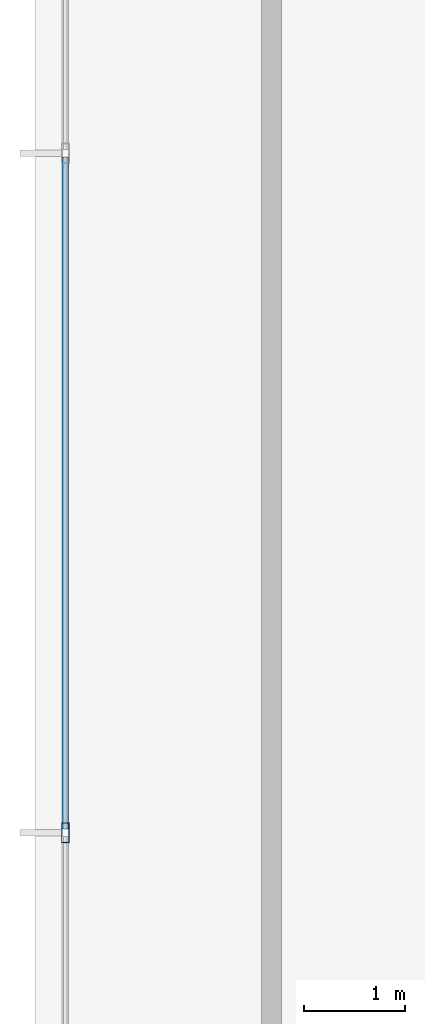
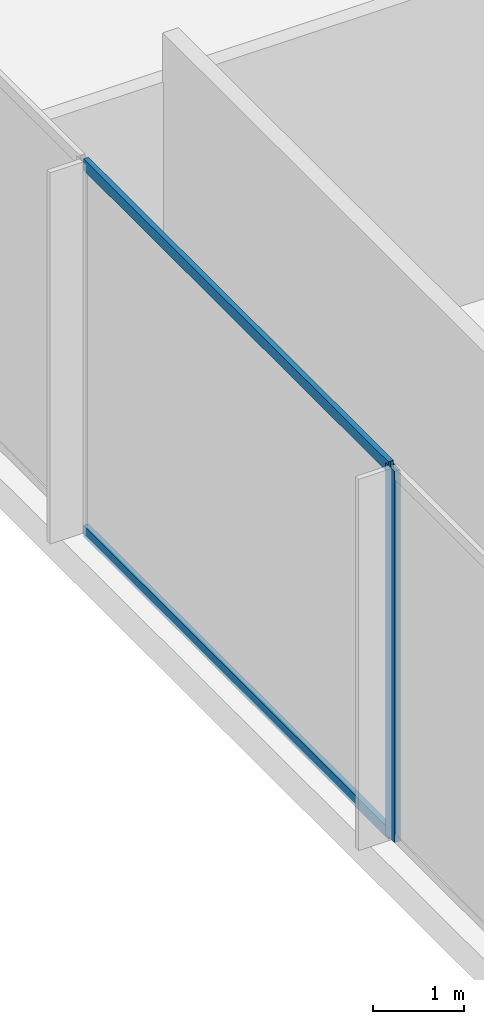
# One storey, part 10 of 43: 3 members, 1 element without a shape of its own.
"""IFC4 building model written with IfcOpenShell, lengths in metres."""

from ifc_helpers import new_model, si_unit, direction, frame, origin, origin_2d, place, context, subcontext, project, spatial, hollow_rectangle, extrude, material, layer, layer_set, material_profile, profile_set, type_object, element, aggregate, save


model = new_model("IFC4")

# Units and contexts
model_context = context("Model", 3, precision=1e-05, world=origin(), true_north=direction((0.0, 1.0)))
body_context = subcontext(model_context, "Body", "Model", "MODEL_VIEW")
ifc_project = project(units=[si_unit("LENGTHUNIT", "METRE"), si_unit("AREAUNIT", "SQUARE_METRE"), si_unit("VOLUMEUNIT", "CUBIC_METRE"), si_unit("PLANEANGLEUNIT", "RADIAN"), si_unit("MASSUNIT", "GRAM", prefix="KILO")], contexts=[model_context])

# Site, building, storey
site_placement = place(None, origin())
site = spatial("IfcSite", under=ifc_project, at=site_placement, CompositionType="ELEMENT")
building_placement = place(site_placement, origin())
building = spatial("IfcBuilding", under=site, at=building_placement, Name="Orvanel Arch Residences", CompositionType="ELEMENT")
storey_placement = place(building_placement, frame((0.0, 0.0, 18.39990234375)))
storey = spatial("IfcBuildingStorey", under=building, at=storey_placement, Name="L04", CompositionType="ELEMENT", Elevation=18.39990234375)

# Curtain wall, members
ifc_material = material(Name="Bronze-anodised aluminium AA6063-T6", Category="aluminium")
ifc_layer = layer(ifc_material, 0.199951171875)
ifc_layer_set = layer_set([ifc_layer], Name="Bronze-anodised aluminium AA6063-T6")
curtain_wall_type = type_object("IfcCurtainWallType", Name="CW1-POD-SYS", PredefinedType="NOTDEFINED", material=ifc_layer_set)
curtain_wall_placement = place(storey_placement, origin())
curtain_wall = element("IfcCurtainWall", 1, at=curtain_wall_placement, inside=storey, type_object=curtain_wall_type, Name="L04 CW1-POD-SYS Unitised Curtain Wall", PredefinedType="NOTDEFINED")
ifc_material_profile_1 = material_profile(ifc_material, hollow_rectangle(XDim=0.074951171875, YDim=0.199951171875, WallThickness=0.0048828125, at=origin_2d()), Name="ALU200x75x5")
ifc_profile_set_1 = profile_set([ifc_material_profile_1], Name="Bronze-anodised aluminium AA6063-T6")
member_type_1 = type_object("IfcMemberType", Name="MUL-200x75", PredefinedType="MULLION", material=ifc_profile_set_1)
member_1_placement = place(storey_placement, frame((1.550048828125, 27.5, 0.0), z_axis=(0.0, 0.0, 1.0), x_axis=(1.0, 0.0, 0.0)))
member_1 = element("IfcMember", 2, at=member_1_placement, type_object=member_type_1, Name="CW-S1 mullion 5", PredefinedType="MULLION", context=body_context, shape_type="SweptSolid", body=[
    extrude(hollow_rectangle(XDim=0.074951171875, YDim=0.199951171875, WallThickness=0.0048828125, at=origin_2d()), origin(), (0.0, 0.0, 1.0), 4.960205078125),
])
ifc_material_profile_2 = material_profile(ifc_material, hollow_rectangle(XDim=0.06494140625, YDim=0.14990234375, WallThickness=0.00390625, at=origin_2d()), Name="ALU150x65x4")
ifc_profile_set_2 = profile_set([ifc_material_profile_2], Name="Bronze-anodised aluminium AA6063-T6")
member_type_2 = type_object("IfcMemberType", Name="TRN-150x65", PredefinedType="USERDEFINED", material=ifc_profile_set_2)
member_2_placement = place(storey_placement, frame((1.550048828125, 34.215087890625, 0.03271484375), z_axis=(0.0, -1.0, 0.0), x_axis=(1.0, 0.0, 0.0)))
member_2 = element("IfcMember", 3, at=member_2_placement, type_object=member_type_2, Name="CW-S1 transom 4.1", ObjectType="TRANSOM", PredefinedType="USERDEFINED", context=body_context, shape_type="SweptSolid", body=[
    extrude(hollow_rectangle(XDim=0.06494140625, YDim=0.14990234375, WallThickness=0.00390625, at=origin_2d()), origin(), (0.0, 0.0, 1.0), 6.677490234375),
])
member_3_placement = place(storey_placement, frame((1.550048828125, 34.215087890625, 4.927490234375), z_axis=(0.0, -1.0, 0.0), x_axis=(1.0, 0.0, 0.0)))
member_3 = element("IfcMember", 4, at=member_3_placement, type_object=member_type_2, Name="CW-S1 transom 4.2", ObjectType="TRANSOM", PredefinedType="USERDEFINED", context=body_context, shape_type="SweptSolid", body=[
    extrude(hollow_rectangle(XDim=0.06494140625, YDim=0.14990234375, WallThickness=0.00390625, at=origin_2d()), origin(), (0.0, 0.0, 1.0), 6.677490234375),
])
aggregate(curtain_wall, [member_1, member_2, member_3])

save(model, "model.ifc")
